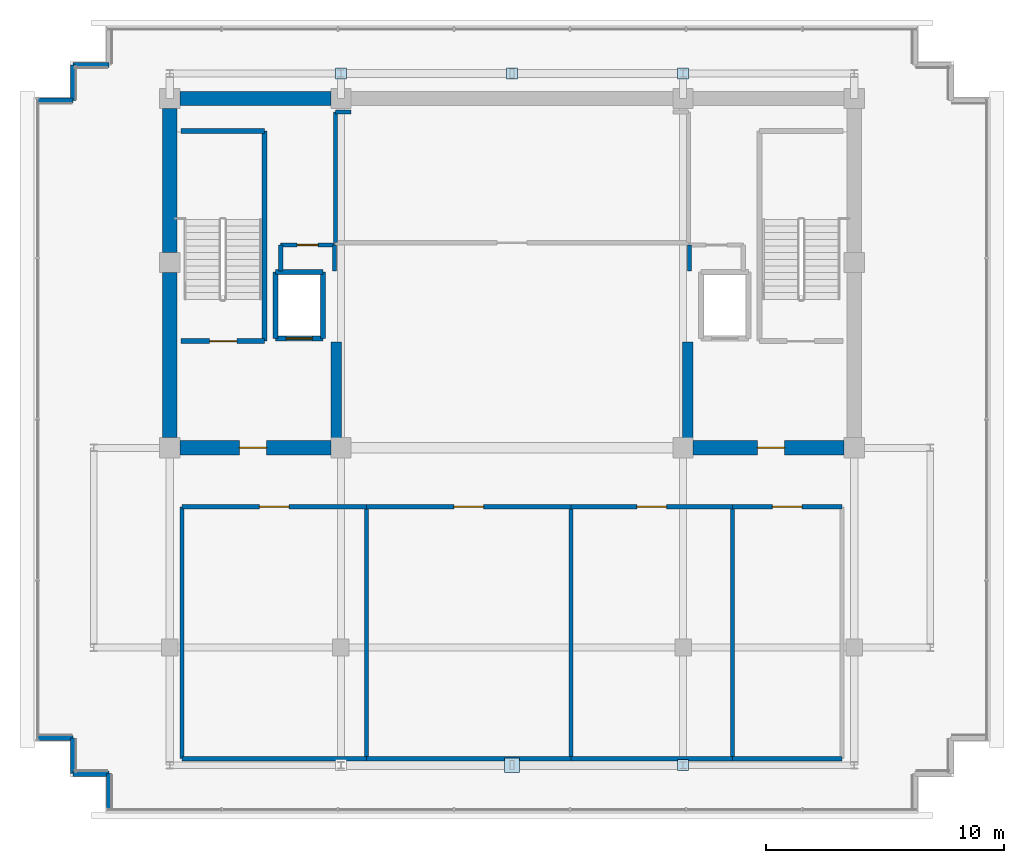
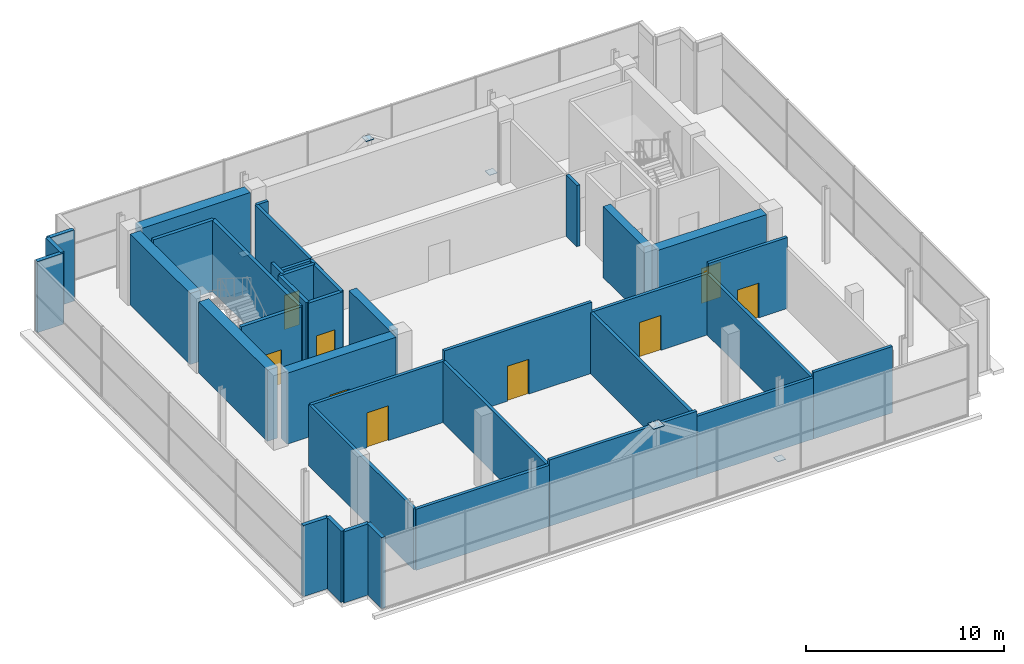
# One storey, part 24 of 28: 39 walls, 9 doors, 5 plates, 9 openings.
"""IFC4 building model written with IfcOpenShell, lengths in metres."""

from ifc_helpers import new_model, si_unit, direction, frame, frame_2d, origin, origin_2d, place, context, subcontext, project, spatial, rectangle, extrude, source, transform, mapped, material, layer, layer_set, type_object, element, fill, save


model = new_model("IFC4")

# Units and contexts
model_context = context("Model", 3, precision=1e-05, world=origin(), true_north=direction((0.0, 1.0)))
body_context = subcontext(model_context, "Body", "Model", "MODEL_VIEW")
ifc_project = project(units=[si_unit("LENGTHUNIT", "METRE"), si_unit("AREAUNIT", "SQUARE_METRE"), si_unit("VOLUMEUNIT", "CUBIC_METRE"), si_unit("PLANEANGLEUNIT", "RADIAN"), si_unit("MASSUNIT", "GRAM", prefix="KILO")], contexts=[model_context])

# Site, building, storey
site_placement = place(None, origin())
site = spatial("IfcSite", under=ifc_project, at=site_placement, CompositionType="ELEMENT")
building_placement = place(site_placement, origin())
building = spatial("IfcBuilding", under=site, at=building_placement, Name="Zarnakvel Exchange Tower", CompositionType="ELEMENT")
storey_placement = place(building_placement, frame((0.0, 0.0, 276.199951171875)))
storey = spatial("IfcBuildingStorey", under=building, at=storey_placement, Name="Crown L78", CompositionType="ELEMENT", Elevation=276.199951171875)

# Plates
ifc_material_1 = material(Name="Steel S355", Category="steel")
ifc_layer_1 = layer(ifc_material_1, 0.028076171875)
ifc_layer_set_1 = layer_set([ifc_layer_1], Name="Steel S355")
plate_type_1 = type_object("IfcPlateType", Name="VN3", PredefinedType="USERDEFINED", material=ifc_layer_set_1)
shared_shape_1 = source(origin(), body_context, "Body", "SweptSolid", [
    extrude(rectangle(XDim=0.64990234375, YDim=0.60009765625, at=origin_2d()), origin(), (0.0, 0.0, 1.0), 0.028076171875),
])
plate_placement = place(storey_placement, frame((0.0, -14.550048828125, 4.22607421875), z_axis=(0.0, 0.0, 1.0), x_axis=(1.0, 0.0, 0.0)))
element("IfcPlate", 1, at=plate_placement, inside=storey, type_object=plate_type_1, Name="Crown L78 Stepped Crown Gusset VN3", ObjectType="GUSSET_PLATE", PredefinedType="USERDEFINED", context=body_context, shape_type="MappedRepresentation", body=[
    mapped(shared_shape_1, transform((0.0, 0.0, 0.0), x_axis=(1.0, 0.0, 0.0), y_axis=(0.0, 1.0, 0.0), z_axis=(0.0, 0.0, 1.0), scale=1.0)),
])
ifc_layer_2 = layer(ifc_material_1, 0.028076171875)
ifc_layer_set_2 = layer_set([ifc_layer_2], Name="Steel S355")
plate_type_2 = type_object("IfcPlateType", Name="BP-02", PredefinedType="USERDEFINED", material=ifc_layer_set_2)
shared_shape_2 = source(origin(), body_context, "Body", "SweptSolid", [
    extrude(rectangle(XDim=0.4599609375, YDim=0.4599609375, at=origin_2d()), origin(), (0.0, 0.0, 1.0), 0.028076171875),
])
for number, where, z_axis, x_axis, name in (
    (2, (7.199951171875, -14.550048828125, -0.3740234375), (0.0, 0.0, 1.0), (1.0, 0.0, 0.0), "Crown L78 Crown Member End Cap Plate"),
    (3, (-7.199951171875, 14.550048828125, -0.3740234375), (0.0, 0.0, 1.0), (1.0, 0.0, 0.0), "Crown L78 Crown Member End Cap Plate"),
    (4, (0.0, 14.550048828125, 4.22607421875), (0.0, 0.0, 1.0), (1.0, 0.0, 0.0), "Crown L78 Crown Member End Cap Plate"),
    (5, (7.199951171875, 14.550048828125, -0.3740234375), (0.0, 0.0, 1.0), (1.0, 0.0, 0.0), "Crown L78 Crown Member End Cap Plate"),
):
    element("IfcPlate", number, at=place(storey_placement, frame(where, z_axis=z_axis, x_axis=x_axis)), inside=storey, type_object=plate_type_2, Name=name, ObjectType="BASE_PLATE", PredefinedType="USERDEFINED", context=body_context, shape_type="MappedRepresentation", body=[
        mapped(shared_shape_2, transform((0.0, 0.0, 0.0), x_axis=(1.0, 0.0, 0.0), y_axis=(0.0, 1.0, 0.0), z_axis=(0.0, 0.0, 1.0), scale=1.0)),
    ])

# Walls
ifc_material_2 = material(Name="Concrete C50/60", Category="concrete")
ifc_layer_3 = layer(ifc_material_2, 0.60009765625)
ifc_layer_set_3 = layer_set([ifc_layer_3], Name="Concrete C50/60")
wall_type_1 = type_object("IfcWallType", Name="CW-C5", PredefinedType="SHEAR", material=ifc_layer_set_3)
wall_1_placement = place(storey_placement, frame((-13.97509765625, 13.5, 0.0), z_axis=(0.0, 0.0, 1.0), x_axis=(1.0, 0.0, 0.0)))
element("IfcWall", 6, at=wall_1_placement, inside=storey, type_object=wall_type_1, Name="Crown L78 Rear Core Shear Wall N1 (CW-C5)", PredefinedType="SHEAR", context=body_context, shape_type="SweptSolid", body=[
    extrude(rectangle(XDim=6.35009765625, YDim=0.60009765625, at=frame_2d((3.175048828125, 0.0))), origin(), (0.0, 0.0, 1.0), 4.380126953125),
])
wall_2_placement = place(storey_placement, frame((-14.39990234375, -0.77490234375, 0.0), z_axis=(0.0, 0.0, 1.0), x_axis=(0.0, 1.0, 0.0)))
element("IfcWall", 7, at=wall_2_placement, inside=storey, type_object=wall_type_1, Name="Crown L78 Rear Core Shear Wall W1 (CW-C5)", PredefinedType="SHEAR", context=body_context, shape_type="SweptSolid", body=[
    extrude(rectangle(XDim=6.949951171875, YDim=0.60009765625, at=frame_2d((3.47509765625, 0.0))), origin(), (0.0, 0.0, 1.0), 4.380126953125),
])
wall_3_placement = place(storey_placement, frame((-14.39990234375, 7.02490234375, 0.0), z_axis=(0.0, 0.0, 1.0), x_axis=(0.0, 1.0, 0.0)))
element("IfcWall", 8, at=wall_3_placement, inside=storey, type_object=wall_type_1, Name="Crown L78 Rear Core Shear Wall W2 (CW-C5)", PredefinedType="SHEAR", context=body_context, shape_type="SweptSolid", body=[
    extrude(rectangle(XDim=6.050048828125, YDim=0.60009765625, at=frame_2d((3.02490234375, 0.0))), origin(), (0.0, 0.0, 1.0), 4.380126953125),
])

# Wall, opening, door
wall_4_placement = place(storey_placement, frame((-7.625, -1.199951171875, 0.0), z_axis=(0.0, 0.0, 1.0), x_axis=(-1.0, 0.0, 0.0)))
wall_4 = element("IfcWall", 9, at=wall_4_placement, inside=storey, type_object=wall_type_1, Name="Crown L78 Rear Core Shear Wall SW (CW-C5)", PredefinedType="SHEAR", context=body_context, shape_type="SweptSolid", body=[
    extrude(rectangle(XDim=6.35009765625, YDim=0.60009765625, at=frame_2d((3.175048828125, 0.0))), origin(), (0.0, 0.0, 1.0), 4.380126953125),
])
opening_1_placement = place(wall_4_placement, frame((2.699951171875, 0.0, 0.0)))
opening_1 = element("IfcOpeningElement", 10, at=opening_1_placement, cuts=wall_4, Name="Opening D-Crown L78-03", PredefinedType="OPENING", context=body_context, shape_type="SweptSolid", body=[
    extrude(rectangle(XDim=1.14990234375, YDim=2.14990234375, at=frame_2d((0.574951171875, 1.074951171875))), frame((0.0, 0.31005859375, 0.0), z_axis=(0.0, -1.0, 0.0), x_axis=(1.0, 0.0, 0.0)), (0.0, 0.0, 1.0), 0.6201171875),
])
ifc_material_3 = material(Name="Painted Galvanised Steel S355", Category="steel")
door_type_1 = type_object("IfcDoorType", Name="DT-04", OperationType="NOTDEFINED", PredefinedType="DOOR", material=ifc_material_3)
shared_shape_3 = source(origin(), body_context, "Body", "SweptSolid", [
    extrude(rectangle(XDim=1.14990234375, YDim=2.14990234375, at=frame_2d((0.574951171875, 1.074951171875))), frame((0.0, 0.02490234375, 0.0), z_axis=(0.0, -1.0, 0.0), x_axis=(1.0, 0.0, 0.0)), (0.0, 0.0, 1.0), 0.050048828125),
])
door_1_placement = place(opening_1_placement, origin())
door_1 = element("IfcDoor", 11, at=door_1_placement, inside=storey, type_object=door_type_1, Name="Crown L78 Firefighting Lobby West Door D-Crown L78-03", OperationType="SINGLE_SWING_RIGHT", OverallHeight=2.14990234375, OverallWidth=1.14990234375, PredefinedType="DOOR", context=body_context, shape_type="MappedRepresentation", body=[
    mapped(shared_shape_3, transform((0.0, 0.0, 0.0), x_axis=(1.0, 0.0, 0.0), y_axis=(0.0, 1.0, 0.0), z_axis=(0.0, 0.0, 1.0), scale=1.0)),
])
fill(opening_1, door_1)

wall_5_placement = place(storey_placement, frame((13.97509765625, -1.199951171875, 0.0), z_axis=(0.0, 0.0, 1.0), x_axis=(-1.0, 0.0, 0.0)))
wall_5 = element("IfcWall", 12, at=wall_5_placement, inside=storey, type_object=wall_type_1, Name="Crown L78 Rear Core Shear Wall SE (CW-C5)", PredefinedType="SHEAR", context=body_context, shape_type="SweptSolid", body=[
    extrude(rectangle(XDim=6.35009765625, YDim=0.60009765625, at=frame_2d((3.175048828125, 0.0))), origin(), (0.0, 0.0, 1.0), 4.380126953125),
])
opening_2_placement = place(wall_5_placement, frame((2.5, 0.0, 0.0)))
opening_2 = element("IfcOpeningElement", 13, at=opening_2_placement, cuts=wall_5, Name="Opening D-Crown L78-04", PredefinedType="OPENING", context=body_context, shape_type="SweptSolid", body=[
    extrude(rectangle(XDim=1.14990234375, YDim=2.14990234375, at=frame_2d((0.574951171875, 1.074951171875))), frame((0.0, 0.31005859375, 0.0), z_axis=(0.0, -1.0, 0.0), x_axis=(1.0, 0.0, 0.0)), (0.0, 0.0, 1.0), 0.6201171875),
])
door_2_placement = place(opening_2_placement, origin())
door_2 = element("IfcDoor", 14, at=door_2_placement, inside=storey, type_object=door_type_1, Name="Crown L78 Firefighting Lobby East Door D-Crown L78-04", OperationType="SINGLE_SWING_LEFT", OverallHeight=2.14990234375, OverallWidth=1.14990234375, PredefinedType="DOOR", context=body_context, shape_type="MappedRepresentation", body=[
    mapped(shared_shape_3, transform((0.0, 0.0, 0.0), x_axis=(1.0, 0.0, 0.0), y_axis=(0.0, 1.0, 0.0), z_axis=(0.0, 0.0, 1.0), scale=1.0)),
])
fill(opening_2, door_2)

# Walls
ifc_layer_4 = layer(ifc_material_2, 0.449951171875)
ifc_layer_set_4 = layer_set([ifc_layer_4], Name="Concrete C50/60")
wall_type_2 = type_object("IfcWallType", Name="CW-C6", PredefinedType="SHEAR", material=ifc_layer_set_4)
for number, where, z_axis, x_axis, name in (
    (15, (-7.39990234375, -0.89990234375, 0.0), (0.0, 0.0, 1.0), (0.0, 1.0, 0.0), "Crown L78 Rear Core Shear Wall IW (CW-C6)"),
    (16, (7.39990234375, -0.89990234375, 0.0), (0.0, 0.0, 1.0), (0.0, 1.0, 0.0), "Crown L78 Rear Core Shear Wall IE (CW-C6)"),
):
    element("IfcWall", number, at=place(storey_placement, frame(where, z_axis=z_axis, x_axis=x_axis)), inside=storey, type_object=wall_type_2, Name=name, PredefinedType="SHEAR", context=body_context, shape_type="SweptSolid", body=[
        extrude(rectangle(XDim=4.14990234375, YDim=0.449951171875, at=frame_2d((2.074951171875, 0.0))), origin(), (0.0, 0.0, 1.0), 4.380126953125),
    ])
ifc_material_4 = material(Name="Precast concrete C40/50", Category="concrete")
ifc_layer_5 = layer(ifc_material_4, 0.219970703125)
ifc_layer_set_5 = layer_set([ifc_layer_5], Name="Precast concrete C40/50")
wall_type_3 = type_object("IfcWallType", Name="EW-03", PredefinedType="SOLIDWALL", material=ifc_layer_set_5)
for number, where, z_axis, x_axis, name in (
    (17, (-18.4599609375, 13.409912109375, 0.0), (0.0, 0.0, 1.0), (-1.0, 0.0, 0.0), "Crown L78 Exterior Precast Spandrel Wall EW-Crown L78-C02 (EW-03)"),
    (18, (-18.4599609375, 14.909912109375, 0.0), (0.0, 0.0, 1.0), (0.0, -1.0, 0.0), "Crown L78 Exterior Precast Spandrel Wall EW-Crown L78-C03 (EW-03)"),
    (19, (-16.9599609375, 14.909912109375, 0.0), (0.0, 0.0, 1.0), (-1.0, 0.0, 0.0), "Crown L78 Exterior Precast Spandrel Wall EW-Crown L78-C04 (EW-03)"),
    (20, (-16.9599609375, -14.909912109375, 0.0), (0.0, 0.0, 1.0), (0.0, -1.0, 0.0), "Crown L78 Exterior Precast Spandrel Wall EW-Crown L78-C17 (EW-03)"),
    (21, (-18.4599609375, -14.909912109375, 0.0), (0.0, 0.0, 1.0), (1.0, 0.0, 0.0), "Crown L78 Exterior Precast Spandrel Wall EW-Crown L78-C18 (EW-03)"),
    (22, (-18.4599609375, -13.409912109375, 0.0), (0.0, 0.0, 1.0), (0.0, -1.0, 0.0), "Crown L78 Exterior Precast Spandrel Wall EW-Crown L78-C19 (EW-03)"),
    (23, (-19.9599609375, -13.409912109375, 0.0), (0.0, 0.0, 1.0), (1.0, 0.0, 0.0), "Crown L78 Exterior Precast Spandrel Wall EW-Crown L78-C20 (EW-03)"),
):
    element("IfcWall", number, at=place(storey_placement, frame(where, z_axis=z_axis, x_axis=x_axis)), inside=storey, type_object=wall_type_3, Name=name, PredefinedType="SOLIDWALL", context=body_context, shape_type="SweptSolid", body=[
        extrude(rectangle(XDim=1.5, YDim=0.219970703125, at=frame_2d((0.75, 0.0))), origin(), (0.0, 0.0, 1.0), 4.380126953125),
    ])
ifc_material_5 = material(Name="Fire-Rated Gypsum Stud Partition", Category="gypsum")
ifc_layer_6 = layer(ifc_material_5, 0.179931640625)
ifc_layer_set_6 = layer_set([ifc_layer_6], Name="Fire-Rated Gypsum Stud Partition")
wall_type_4 = type_object("IfcWallType", Name="PT-02", PredefinedType="PARTITIONING", material=ifc_layer_set_6)
wall_6_placement = place(storey_placement, frame((-7.429931640625, 12.929931640625, 0.0), z_axis=(0.0, 0.0, 1.0), x_axis=(1.0, 0.0, 0.0)))
element("IfcWall", 24, at=wall_6_placement, inside=storey, type_object=wall_type_4, Name="Crown L78 Partition Wall PWALL-Crown L78-008 (PT-02)", PredefinedType="PARTITIONING", context=body_context, shape_type="SweptSolid", body=[
    extrude(rectangle(XDim=0.655029296875, YDim=0.179931640625, at=frame_2d((0.32763671875, 0.0))), origin(), (0.0, 0.0, 1.0), 3.77001953125),
])
wall_7_placement = place(storey_placement, frame((-7.429931640625, 7.429931640625, 0.0), z_axis=(0.0, 0.0, 1.0), x_axis=(0.0, 1.0, 0.0)))
element("IfcWall", 25, at=wall_7_placement, inside=storey, type_object=wall_type_4, Name="Crown L78 Partition Wall PWALL-Crown L78-010 (PT-02)", PredefinedType="PARTITIONING", context=body_context, shape_type="SweptSolid", body=[
    extrude(rectangle(XDim=5.5, YDim=0.179931640625, at=frame_2d((2.75, 0.0))), origin(), (0.0, 0.0, 1.0), 3.77001953125),
])

# Wall, opening, door
wall_8_placement = place(storey_placement, frame((-9.72998046875, 7.330078125, 0.0), z_axis=(0.0, 0.0, 1.0), x_axis=(1.0, 0.0, 0.0)))
wall_8 = element("IfcWall", 26, at=wall_8_placement, inside=storey, type_object=wall_type_4, Name="Crown L78 Partition Wall PWALL-Crown L78-012 (PT-02)", PredefinedType="PARTITIONING", context=body_context, shape_type="SweptSolid", body=[
    extrude(rectangle(XDim=2.260009765625, YDim=0.179931640625, at=frame_2d((1.1298828125, 0.0))), origin(), (0.0, 0.0, 1.0), 3.77001953125),
])
opening_3_placement = place(wall_8_placement, frame((0.68994140625, 0.0, 0.0)))
opening_3 = element("IfcOpeningElement", 27, at=opening_3_placement, cuts=wall_8, Name="Opening D-Crown L78-10", PredefinedType="OPENING", context=body_context, shape_type="SweptSolid", body=[
    extrude(rectangle(XDim=0.8798828125, YDim=2.10009765625, at=frame_2d((0.43994140625, 1.050048828125))), frame((0.0, 0.099853515625, 0.0), z_axis=(0.0, -1.0, 0.0), x_axis=(1.0, 0.0, 0.0)), (0.0, 0.0, 1.0), 0.199951171875),
])
door_type_2 = type_object("IfcDoorType", Name="DT-08", OperationType="NOTDEFINED", PredefinedType="DOOR", material=ifc_material_3)
shared_shape_4 = source(origin(), body_context, "Body", "SweptSolid", [
    extrude(rectangle(XDim=0.8798828125, YDim=2.10009765625, at=frame_2d((0.43994140625, 1.050048828125))), frame((0.0, 0.02490234375, 0.0), z_axis=(0.0, -1.0, 0.0), x_axis=(1.0, 0.0, 0.0)), (0.0, 0.0, 1.0), 0.050048828125),
])
door_3_placement = place(opening_3_placement, origin())
door_3 = element("IfcDoor", 28, at=door_3_placement, inside=storey, type_object=door_type_2, Name="Crown L78 Electrical Riser Door D-Crown L78-10", OperationType="SINGLE_SWING_LEFT", OverallHeight=2.10009765625, OverallWidth=0.8798828125, PredefinedType="DOOR", context=body_context, shape_type="MappedRepresentation", body=[
    mapped(shared_shape_4, transform((0.0, 0.0, 0.0), x_axis=(1.0, 0.0, 0.0), y_axis=(0.0, 1.0, 0.0), z_axis=(0.0, 0.0, 1.0), scale=1.0)),
])
fill(opening_3, door_3)

# Walls
wall_9_placement = place(storey_placement, frame((-9.72998046875, 6.239990234375, 0.0), z_axis=(0.0, 0.0, 1.0), x_axis=(0.0, 1.0, 0.0)))
element("IfcWall", 29, at=wall_9_placement, inside=storey, type_object=wall_type_4, Name="Crown L78 Partition Wall PWALL-Crown L78-013 (PT-02)", PredefinedType="PARTITIONING", context=body_context, shape_type="SweptSolid", body=[
    extrude(rectangle(XDim=1.090087890625, YDim=0.179931640625, at=frame_2d((0.544921875, 0.0))), origin(), (0.0, 0.0, 1.0), 4.380126953125),
])
for number, where, z_axis, x_axis, name in (
    (30, (-7.469970703125, 7.330078125, 0.0), (0.0, 0.0, 1.0), (0.0, -1.0, 0.0), "Crown L78 Partition Wall PWALL-Crown L78-014 (PT-02)"),
    (31, (7.469970703125, 6.239990234375, 0.0), (0.0, 0.0, 1.0), (0.0, 1.0, 0.0), "Crown L78 Partition Wall PWALL-Crown L78-016 (PT-02)"),
):
    element("IfcWall", number, at=place(storey_placement, frame(where, z_axis=z_axis, x_axis=x_axis)), inside=storey, type_object=wall_type_4, Name=name, PredefinedType="PARTITIONING", context=body_context, shape_type="SweptSolid", body=[
        extrude(rectangle(XDim=1.090087890625, YDim=0.179931640625, at=frame_2d((0.544921875, 0.0))), origin(), (0.0, 0.0, 1.0), 3.77001953125),
    ])
wall_10_placement = place(storey_placement, frame((-6.1201171875, -14.280029296875, 0.0), z_axis=(0.0, 0.0, 1.0), x_axis=(-1.0, 0.0, 0.0)))
element("IfcWall", 32, at=wall_10_placement, inside=storey, type_object=wall_type_4, Name="Crown L78 Partition Wall PWALL-Crown L78-018 (PT-02)", PredefinedType="PARTITIONING", context=body_context, shape_type="SweptSolid", body=[
    extrude(rectangle(XDim=7.759765625, YDim=0.179931640625, at=frame_2d((3.8798828125, 0.0))), origin(), (0.0, 0.0, 1.0), 3.77001953125),
])

# Wall, opening, door
wall_11_placement = place(storey_placement, frame((-13.8798828125, -3.679931640625, 0.0), z_axis=(0.0, 0.0, 1.0), x_axis=(1.0, 0.0, 0.0)))
wall_11 = element("IfcWall", 33, at=wall_11_placement, inside=storey, type_object=wall_type_4, Name="Crown L78 Partition Wall PWALL-Crown L78-019 (PT-02)", PredefinedType="PARTITIONING", context=body_context, shape_type="SweptSolid", body=[
    extrude(rectangle(XDim=7.759765625, YDim=0.179931640625, at=frame_2d((3.8798828125, 0.0))), origin(), (0.0, 0.0, 1.0), 3.77001953125),
])
opening_4_placement = place(wall_11_placement, frame((3.2548828125, 0.0, 0.0)))
opening_4 = element("IfcOpeningElement", 34, at=opening_4_placement, cuts=wall_11, Name="Opening D-Crown L78-06", PredefinedType="OPENING", context=body_context, shape_type="SweptSolid", body=[
    extrude(rectangle(XDim=1.25, YDim=2.14990234375, at=frame_2d((0.625, 1.074951171875))), frame((0.0, 0.099853515625, 0.0), z_axis=(0.0, -1.0, 0.0), x_axis=(1.0, 0.0, 0.0)), (0.0, 0.0, 1.0), 0.199951171875),
])
door_type_3 = type_object("IfcDoorType", Name="DT-06", OperationType="NOTDEFINED", PredefinedType="DOOR", material=ifc_material_3)
shared_shape_5 = source(origin(), body_context, "Body", "SweptSolid", [
    extrude(rectangle(XDim=1.25, YDim=2.14990234375, at=frame_2d((0.625, 1.074951171875))), frame((0.0, 0.02490234375, 0.0), z_axis=(0.0, -1.0, 0.0), x_axis=(1.0, 0.0, 0.0)), (0.0, 0.0, 1.0), 0.050048828125),
])
door_4_placement = place(opening_4_placement, origin())
door_4 = element("IfcDoor", 35, at=door_4_placement, inside=storey, type_object=door_type_3, Name="Crown L78 Centrifugal Chiller Plant Room Door D-Crown L78-06", OperationType="SINGLE_SWING_LEFT", OverallHeight=2.14990234375, OverallWidth=1.25, PredefinedType="DOOR", context=body_context, shape_type="MappedRepresentation", body=[
    mapped(shared_shape_5, transform((0.0, 0.0, 0.0), x_axis=(1.0, 0.0, 0.0), y_axis=(0.0, 1.0, 0.0), z_axis=(0.0, 0.0, 1.0), scale=1.0)),
])
fill(opening_4, door_4)

# Walls
for number, where, z_axis, x_axis, name in (
    (36, (-13.8798828125, -14.280029296875, 0.0), (0.0, 0.0, 1.0), (0.0, 1.0, 0.0), "Crown L78 Partition Wall PWALL-Crown L78-020 (PT-02)"),
    (37, (-6.1201171875, -3.679931640625, 0.0), (0.0, 0.0, 1.0), (0.0, -1.0, 0.0), "Crown L78 Partition Wall PWALL-Crown L78-021 (PT-02)"),
):
    element("IfcWall", number, at=place(storey_placement, frame(where, z_axis=z_axis, x_axis=x_axis)), inside=storey, type_object=wall_type_4, Name=name, PredefinedType="PARTITIONING", context=body_context, shape_type="SweptSolid", body=[
        extrude(rectangle(XDim=10.60009765625, YDim=0.179931640625, at=frame_2d((5.300048828125, 0.0))), origin(), (0.0, 0.0, 1.0), 3.77001953125),
    ])
wall_12_placement = place(storey_placement, frame((2.47998046875, -14.280029296875, 0.0), z_axis=(0.0, 0.0, 1.0), x_axis=(-1.0, 0.0, 0.0)))
element("IfcWall", 38, at=wall_12_placement, inside=storey, type_object=wall_type_4, Name="Crown L78 Partition Wall PWALL-Crown L78-022 (PT-02)", PredefinedType="PARTITIONING", context=body_context, shape_type="SweptSolid", body=[
    extrude(rectangle(XDim=8.60009765625, YDim=0.179931640625, at=frame_2d((4.300048828125, 0.0))), origin(), (0.0, 0.0, 1.0), 4.090087890625),
])

# Wall, opening, door
wall_13_placement = place(storey_placement, frame((-6.1201171875, -3.679931640625, 0.0), z_axis=(0.0, 0.0, 1.0), x_axis=(1.0, 0.0, 0.0)))
wall_13 = element("IfcWall", 39, at=wall_13_placement, inside=storey, type_object=wall_type_4, Name="Crown L78 Partition Wall PWALL-Crown L78-023 (PT-02)", PredefinedType="PARTITIONING", context=body_context, shape_type="SweptSolid", body=[
    extrude(rectangle(XDim=8.60009765625, YDim=0.179931640625, at=frame_2d((4.300048828125, 0.0))), origin(), (0.0, 0.0, 1.0), 4.380126953125),
])
opening_5_placement = place(wall_13_placement, frame((3.675048828125, 0.0, 0.0)))
opening_5 = element("IfcOpeningElement", 40, at=opening_5_placement, cuts=wall_13, Name="Opening D-Crown L78-07", PredefinedType="OPENING", context=body_context, shape_type="SweptSolid", body=[
    extrude(rectangle(XDim=1.25, YDim=2.14990234375, at=frame_2d((0.625, 1.074951171875))), frame((0.0, 0.099853515625, 0.0), z_axis=(0.0, -1.0, 0.0), x_axis=(1.0, 0.0, 0.0)), (0.0, 0.0, 1.0), 0.199951171875),
])
door_5_placement = place(opening_5_placement, origin())
door_5 = element("IfcDoor", 41, at=door_5_placement, inside=storey, type_object=door_type_3, Name="Crown L78 Cooling Tower Basin Room Door D-Crown L78-07", OperationType="SINGLE_SWING_RIGHT", OverallHeight=2.14990234375, OverallWidth=1.25, PredefinedType="DOOR", context=body_context, shape_type="MappedRepresentation", body=[
    mapped(shared_shape_5, transform((0.0, 0.0, 0.0), x_axis=(1.0, 0.0, 0.0), y_axis=(0.0, 1.0, 0.0), z_axis=(0.0, 0.0, 1.0), scale=1.0)),
])
fill(opening_5, door_5)

# Walls
wall_14_placement = place(storey_placement, frame((2.47998046875, -3.679931640625, 0.0), z_axis=(0.0, 0.0, 1.0), x_axis=(0.0, -1.0, 0.0)))
element("IfcWall", 42, at=wall_14_placement, inside=storey, type_object=wall_type_4, Name="Crown L78 Partition Wall PWALL-Crown L78-024 (PT-02)", PredefinedType="PARTITIONING", context=body_context, shape_type="SweptSolid", body=[
    extrude(rectangle(XDim=10.60009765625, YDim=0.179931640625, at=frame_2d((5.300048828125, 0.0))), origin(), (0.0, 0.0, 1.0), 3.77001953125),
])
wall_15_placement = place(storey_placement, frame((9.280029296875, -14.280029296875, 0.0), z_axis=(0.0, 0.0, 1.0), x_axis=(-1.0, 0.0, 0.0)))
element("IfcWall", 43, at=wall_15_placement, inside=storey, type_object=wall_type_4, Name="Crown L78 Partition Wall PWALL-Crown L78-025 (PT-02)", PredefinedType="PARTITIONING", context=body_context, shape_type="SweptSolid", body=[
    extrude(rectangle(XDim=6.800048828125, YDim=0.179931640625, at=frame_2d((3.39990234375, 0.0))), origin(), (0.0, 0.0, 1.0), 3.77001953125),
])

# Wall, opening, door
wall_16_placement = place(storey_placement, frame((2.47998046875, -3.679931640625, 0.0), z_axis=(0.0, 0.0, 1.0), x_axis=(1.0, 0.0, 0.0)))
wall_16 = element("IfcWall", 44, at=wall_16_placement, inside=storey, type_object=wall_type_4, Name="Crown L78 Partition Wall PWALL-Crown L78-026 (PT-02)", PredefinedType="PARTITIONING", context=body_context, shape_type="SweptSolid", body=[
    extrude(rectangle(XDim=6.800048828125, YDim=0.179931640625, at=frame_2d((3.39990234375, 0.0))), origin(), (0.0, 0.0, 1.0), 3.77001953125),
])
opening_6_placement = place(wall_16_placement, frame((2.77490234375, 0.0, 0.0)))
opening_6 = element("IfcOpeningElement", 45, at=opening_6_placement, cuts=wall_16, Name="Opening D-Crown L78-08", PredefinedType="OPENING", context=body_context, shape_type="SweptSolid", body=[
    extrude(rectangle(XDim=1.25, YDim=2.14990234375, at=frame_2d((0.625, 1.074951171875))), frame((0.0, 0.099853515625, 0.0), z_axis=(0.0, -1.0, 0.0), x_axis=(1.0, 0.0, 0.0)), (0.0, 0.0, 1.0), 0.199951171875),
])
door_6_placement = place(opening_6_placement, origin())
door_6 = element("IfcDoor", 46, at=door_6_placement, inside=storey, type_object=door_type_3, Name="Crown L78 Crown HV Switchgear Room Door D-Crown L78-08", OperationType="SINGLE_SWING_LEFT", OverallHeight=2.14990234375, OverallWidth=1.25, PredefinedType="DOOR", context=body_context, shape_type="MappedRepresentation", body=[
    mapped(shared_shape_5, transform((0.0, 0.0, 0.0), x_axis=(1.0, 0.0, 0.0), y_axis=(0.0, 1.0, 0.0), z_axis=(0.0, 0.0, 1.0), scale=1.0)),
])
fill(opening_6, door_6)

# Walls
wall_17_placement = place(storey_placement, frame((9.280029296875, -3.679931640625, 0.0), z_axis=(0.0, 0.0, 1.0), x_axis=(0.0, -1.0, 0.0)))
element("IfcWall", 47, at=wall_17_placement, inside=storey, type_object=wall_type_4, Name="Crown L78 Partition Wall PWALL-Crown L78-027 (PT-02)", PredefinedType="PARTITIONING", context=body_context, shape_type="SweptSolid", body=[
    extrude(rectangle(XDim=10.60009765625, YDim=0.179931640625, at=frame_2d((5.300048828125, 0.0))), origin(), (0.0, 0.0, 1.0), 3.77001953125),
])
wall_18_placement = place(storey_placement, frame((13.8798828125, -14.280029296875, 0.0), z_axis=(0.0, 0.0, 1.0), x_axis=(-1.0, 0.0, 0.0)))
element("IfcWall", 48, at=wall_18_placement, inside=storey, type_object=wall_type_4, Name="Crown L78 Partition Wall PWALL-Crown L78-028 (PT-02)", PredefinedType="PARTITIONING", context=body_context, shape_type="SweptSolid", body=[
    extrude(rectangle(XDim=4.599853515625, YDim=0.179931640625, at=frame_2d((2.2998046875, 0.0))), origin(), (0.0, 0.0, 1.0), 4.090087890625),
])

# Wall, opening, door
wall_19_placement = place(storey_placement, frame((9.280029296875, -3.679931640625, 0.0), z_axis=(0.0, 0.0, 1.0), x_axis=(1.0, 0.0, 0.0)))
wall_19 = element("IfcWall", 49, at=wall_19_placement, inside=storey, type_object=wall_type_4, Name="Crown L78 Partition Wall PWALL-Crown L78-029 (PT-02)", PredefinedType="PARTITIONING", context=body_context, shape_type="SweptSolid", body=[
    extrude(rectangle(XDim=4.599853515625, YDim=0.179931640625, at=frame_2d((2.2998046875, 0.0))), origin(), (0.0, 0.0, 1.0), 4.380126953125),
])
opening_7_placement = place(wall_19_placement, frame((1.675048828125, 0.0, 0.0)))
opening_7 = element("IfcOpeningElement", 50, at=opening_7_placement, cuts=wall_19, Name="Opening D-Crown L78-09", PredefinedType="OPENING", context=body_context, shape_type="SweptSolid", body=[
    extrude(rectangle(XDim=1.25, YDim=2.14990234375, at=frame_2d((0.625, 1.074951171875))), frame((0.0, 0.099853515625, 0.0), z_axis=(0.0, -1.0, 0.0), x_axis=(1.0, 0.0, 0.0)), (0.0, 0.0, 1.0), 0.199951171875),
])
door_7_placement = place(opening_7_placement, origin())
door_7 = element("IfcDoor", 51, at=door_7_placement, inside=storey, type_object=door_type_3, Name="Crown L78 BMS Control Plant Room Door D-Crown L78-09", OperationType="SINGLE_SWING_RIGHT", OverallHeight=2.14990234375, OverallWidth=1.25, PredefinedType="DOOR", context=body_context, shape_type="MappedRepresentation", body=[
    mapped(shared_shape_5, transform((0.0, 0.0, 0.0), x_axis=(1.0, 0.0, 0.0), y_axis=(0.0, 1.0, 0.0), z_axis=(0.0, 0.0, 1.0), scale=1.0)),
])
fill(opening_7, door_7)

ifc_material_6 = material(Name="Concrete C40/50", Category="concrete")
ifc_layer_7 = layer(ifc_material_6, 0.199951171875)
ifc_layer_set_7 = layer_set([ifc_layer_7], Name="Concrete C40/50")
wall_type_5 = type_object("IfcWallType", Name="SW-01", PredefinedType="SOLIDWALL", material=ifc_layer_set_7)
wall_20_placement = place(storey_placement, frame((-7.949951171875, 3.39990234375, 0.0), z_axis=(0.0, 0.0, 1.0), x_axis=(-1.0, 0.0, 0.0)))
wall_20 = element("IfcWall", 52, at=wall_20_placement, inside=storey, type_object=wall_type_5, Name="Crown L78 FL-01 Hoistway Wall South", PredefinedType="SOLIDWALL", context=body_context, shape_type="SweptSolid", body=[
    extrude(rectangle(XDim=2.0, YDim=0.199951171875, at=frame_2d((1.0, 0.0))), origin(), (0.0, 0.0, 1.0), 4.380126953125),
])
opening_8_placement = place(wall_20_placement, frame((0.449951171875, 0.0, 0.0)))
opening_8 = element("IfcOpeningElement", 53, at=opening_8_placement, cuts=wall_20, Name="Opening LD-FL-01-Crown L78", PredefinedType="OPENING", context=body_context, shape_type="SweptSolid", body=[
    extrude(rectangle(XDim=1.10009765625, YDim=2.199951171875, at=frame_2d((0.550048828125, 1.10009765625))), frame((0.0, 0.10986328125, 0.0), z_axis=(0.0, -1.0, 0.0), x_axis=(1.0, 0.0, 0.0)), (0.0, 0.0, 1.0), 0.219970703125),
])
ifc_material_7 = material(Name="Brushed Stainless Steel", Category="steel")
door_type_4 = type_object("IfcDoorType", Name="LDT-01", OperationType="NOTDEFINED", PredefinedType="DOOR", material=ifc_material_7)
shared_shape_6 = source(origin(), body_context, "Body", "SweptSolid", [
    extrude(rectangle(XDim=1.10009765625, YDim=2.199951171875, at=frame_2d((0.550048828125, 1.10009765625))), frame((0.0, 0.02490234375, 0.0), z_axis=(0.0, -1.0, 0.0), x_axis=(1.0, 0.0, 0.0)), (0.0, 0.0, 1.0), 0.050048828125),
])
door_8_placement = place(opening_8_placement, origin())
door_8 = element("IfcDoor", 54, at=door_8_placement, inside=storey, type_object=door_type_4, Name="Crown L78 FL-01 Lift Landing Door LD-FL-01-Crown L78", OperationType="DOUBLE_DOOR_SLIDING", OverallHeight=2.199951171875, OverallWidth=1.10009765625, PredefinedType="DOOR", context=body_context, shape_type="MappedRepresentation", body=[
    mapped(shared_shape_6, transform((0.0, 0.0, 0.0), x_axis=(1.0, 0.0, 0.0), y_axis=(0.0, 1.0, 0.0), z_axis=(0.0, 0.0, 1.0), scale=1.0)),
])
fill(opening_8, door_8)

# Walls
wall_21_placement = place(storey_placement, frame((-9.949951171875, 6.199951171875, 0.0), z_axis=(0.0, 0.0, 1.0), x_axis=(1.0, 0.0, 0.0)))
element("IfcWall", 55, at=wall_21_placement, inside=storey, type_object=wall_type_5, Name="Crown L78 FL-01 Hoistway Wall North", PredefinedType="SOLIDWALL", context=body_context, shape_type="SweptSolid", body=[
    extrude(rectangle(XDim=2.0, YDim=0.199951171875, at=frame_2d((1.0, 0.0))), origin(), (0.0, 0.0, 1.0), 4.380126953125),
])
for number, where, z_axis, x_axis, name in (
    (56, (-9.949951171875, 3.39990234375, 0.0), (0.0, 0.0, 1.0), (0.0, 1.0, 0.0), "Crown L78 FL-01 Hoistway Wall West"),
    (57, (-7.949951171875, 6.199951171875, 0.0), (0.0, 0.0, 1.0), (0.0, -1.0, 0.0), "Crown L78 FL-01 Hoistway Wall East"),
):
    element("IfcWall", number, at=place(storey_placement, frame(where, z_axis=z_axis, x_axis=x_axis)), inside=storey, type_object=wall_type_5, Name=name, PredefinedType="SOLIDWALL", context=body_context, shape_type="SweptSolid", body=[
        extrude(rectangle(XDim=2.800048828125, YDim=0.199951171875, at=frame_2d((1.39990234375, 0.0))), origin(), (0.0, 0.0, 1.0), 4.380126953125),
    ])

# Wall, opening, door
ifc_layer_8 = layer(ifc_material_6, 0.199951171875)
ifc_layer_set_8 = layer_set([ifc_layer_8], Name="Concrete C40/50")
wall_type_6 = type_object("IfcWallType", Name="SW-02", PredefinedType="SOLIDWALL", material=ifc_layer_set_8)
wall_22_placement = place(storey_placement, frame((-10.409912109375, 3.2900390625, 0.0), z_axis=(0.0, 0.0, 1.0), x_axis=(-1.0, 0.0, 0.0)))
wall_22 = element("IfcWall", 58, at=wall_22_placement, inside=storey, type_object=wall_type_6, Name="Crown L78 Stairwell Core Wall PWALL-Crown L78-001 (SW-02)", PredefinedType="SOLIDWALL", context=body_context, shape_type="SweptSolid", body=[
    extrude(rectangle(XDim=3.52001953125, YDim=0.199951171875, at=frame_2d((1.760009765625, 0.0))), origin(), (0.0, 0.0, 1.0), 4.380126953125),
])
opening_9_placement = place(wall_22_placement, frame((1.1650390625, 0.0, 0.0)))
opening_9 = element("IfcOpeningElement", 59, at=opening_9_placement, cuts=wall_22, Name="Opening D-Crown L78-01", PredefinedType="OPENING", context=body_context, shape_type="SweptSolid", body=[
    extrude(rectangle(XDim=1.14990234375, YDim=2.14990234375, at=frame_2d((0.574951171875, 1.074951171875))), frame((0.0, 0.10986328125, 0.0), z_axis=(0.0, -1.0, 0.0), x_axis=(1.0, 0.0, 0.0)), (0.0, 0.0, 1.0), 0.219970703125),
])
door_9_placement = place(opening_9_placement, origin())
door_9 = element("IfcDoor", 60, at=door_9_placement, inside=storey, type_object=door_type_1, Name="Crown L78 Stairwell ST-01 Door D-Crown L78-01", OperationType="SINGLE_SWING_RIGHT", OverallHeight=2.14990234375, OverallWidth=1.14990234375, PredefinedType="DOOR", context=body_context, shape_type="MappedRepresentation", body=[
    mapped(shared_shape_3, transform((0.0, 0.0, 0.0), x_axis=(1.0, 0.0, 0.0), y_axis=(0.0, 1.0, 0.0), z_axis=(0.0, 0.0, 1.0), scale=1.0)),
])
fill(opening_9, door_9)

# Walls
wall_23_placement = place(storey_placement, frame((-13.929931640625, 12.1298828125, 0.0), z_axis=(0.0, 0.0, 1.0), x_axis=(1.0, 0.0, 0.0)))
element("IfcWall", 61, at=wall_23_placement, inside=storey, type_object=wall_type_6, Name="Crown L78 Stairwell Core Wall PWALL-Crown L78-002 (SW-02)", PredefinedType="SOLIDWALL", context=body_context, shape_type="SweptSolid", body=[
    extrude(rectangle(XDim=3.52001953125, YDim=0.199951171875, at=frame_2d((1.760009765625, 0.0))), origin(), (0.0, 0.0, 1.0), 4.380126953125),
])
wall_24_placement = place(storey_placement, frame((-10.409912109375, 12.1298828125, 0.0), z_axis=(0.0, 0.0, 1.0), x_axis=(0.0, -1.0, 0.0)))
element("IfcWall", 62, at=wall_24_placement, inside=storey, type_object=wall_type_6, Name="Crown L78 Stairwell Core Wall PWALL-Crown L78-003 (SW-02)", PredefinedType="SOLIDWALL", context=body_context, shape_type="SweptSolid", body=[
    extrude(rectangle(XDim=8.83984375, YDim=0.199951171875, at=frame_2d((4.419921875, 0.0))), origin(), (0.0, 0.0, 1.0), 4.380126953125),
])

save(model, "model.ifc")
